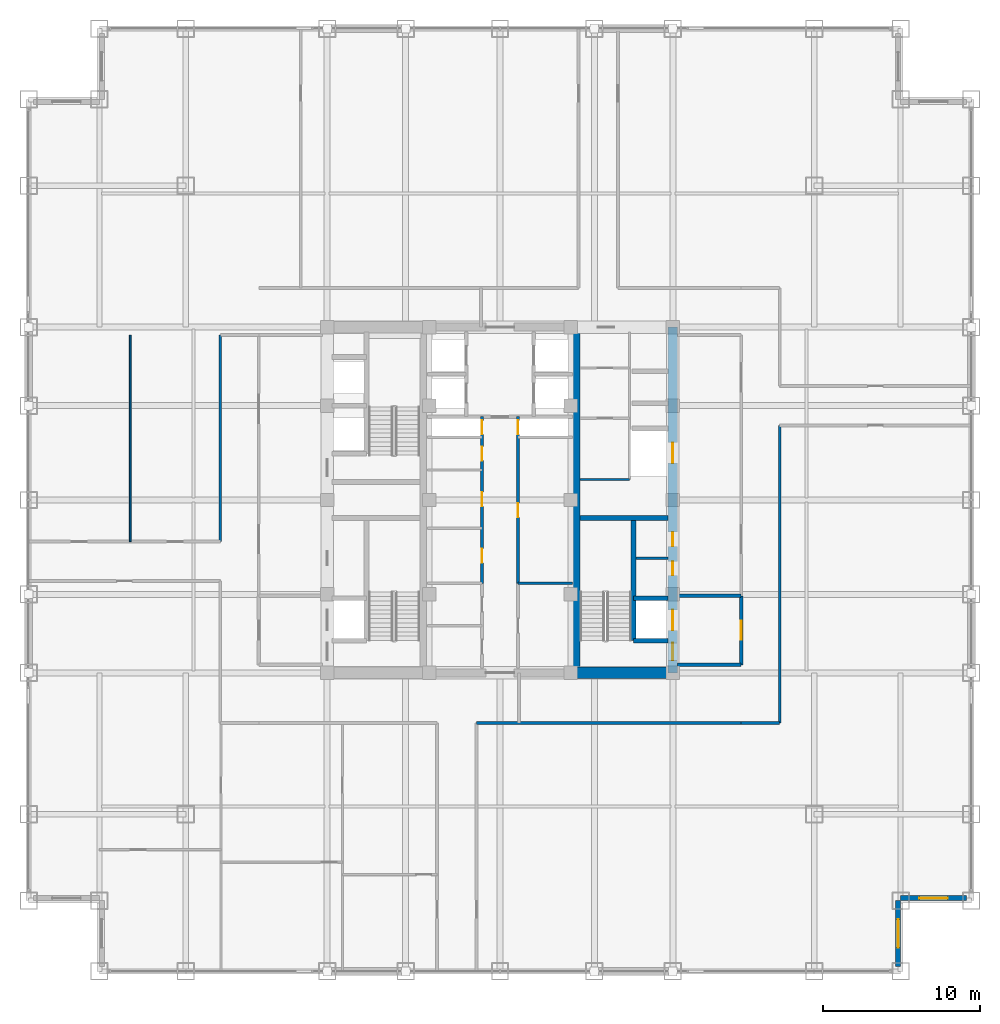
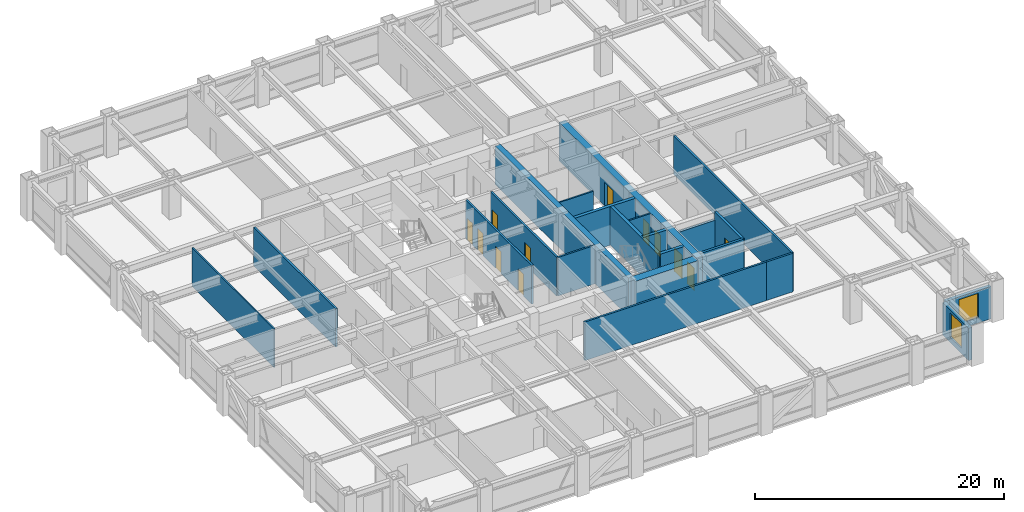
# One storey, part 21 of 24: 22 walls, 12 doors, 2 windows, 14 openings.
"""IFC4 building model written with IfcOpenShell, lengths in metres."""

from ifc_helpers import new_model, si_unit, direction, frame, frame_2d, origin, place, context, subcontext, project, spatial, rectangle, extrude, source, transform, mapped, material, layer, layer_set, type_object, element, fill, save


model = new_model("IFC4")

# Units and contexts
model_context = context("Model", 3, precision=1e-05, world=origin(), true_north=direction((0.0, 1.0)))
body_context = subcontext(model_context, "Body", "Model", "MODEL_VIEW")
ifc_project = project(units=[si_unit("LENGTHUNIT", "METRE"), si_unit("AREAUNIT", "SQUARE_METRE"), si_unit("VOLUMEUNIT", "CUBIC_METRE"), si_unit("PLANEANGLEUNIT", "RADIAN"), si_unit("MASSUNIT", "GRAM", prefix="KILO")], contexts=[model_context])

# Site, building, storey
site_placement = place(None, origin())
site = spatial("IfcSite", under=ifc_project, at=site_placement, CompositionType="ELEMENT")
building_placement = place(site_placement, origin())
building = spatial("IfcBuilding", under=site, at=building_placement, Name="Khorayat Bourse Tower", CompositionType="ELEMENT")
storey_placement = place(building_placement, frame((0.0, 0.0, 175.10009765625)))
storey = spatial("IfcBuildingStorey", under=building, at=storey_placement, Name="L40", CompositionType="ELEMENT", Elevation=175.10009765625)

# Wall, openings, doors
ifc_material_1 = material(Name="Concrete C60/75", Category="concrete")
ifc_layer_1 = layer(ifc_material_1, 0.60009765625)
ifc_layer_set_1 = layer_set([ifc_layer_1], Name="Concrete C60/75")
wall_type_1 = type_object("IfcWallType", Name="WAL-CORE-600", PredefinedType="SHEAR", material=ifc_layer_set_1)
shared_shape_1 = source(origin(), body_context, "Body", "SweptSolid", [
    extrude(rectangle(XDim=22.0, YDim=0.60009765625, at=frame_2d((11.0, 0.0))), origin(), (0.0, 0.0, 1.0), 3.77978515625),
])
wall_1_placement = place(storey_placement, frame((11.0, -11.0, 0.0), z_axis=(0.0, 0.0, 1.0), x_axis=(0.0, 1.0, 0.0)))
wall_1 = element("IfcWall", 1, at=wall_1_placement, inside=storey, type_object=wall_type_1, Name="L40 Core Shear Wall CORE-E", PredefinedType="SHEAR", context=body_context, shape_type="MappedRepresentation", body=[
    mapped(shared_shape_1, transform((0.0, 0.0, 0.0), scale=1.0)),
])
shared_shape_2 = source(origin(), body_context, "Body", "SweptSolid", [
    extrude(rectangle(XDim=1.10009765625, YDim=2.199951171875, at=frame_2d((0.550048828125, 1.10009765625))), frame((0.0, 0.31005859375, 0.0), z_axis=(0.0, -1.0, 0.0), x_axis=(1.0, 0.0, 0.0)), (0.0, 0.0, 1.0), 0.6201171875),
])
opening_1_placement = place(wall_1_placement, frame((0.800048828125, 0.0, 0.0)))
opening_1 = element("IfcOpeningElement", 2, at=opening_1_placement, cuts=wall_1, Name="Opening DI-01", PredefinedType="OPENING", context=body_context, shape_type="MappedRepresentation", body=[
    mapped(shared_shape_2, transform((0.0, 0.0, 0.0), scale=1.0)),
])
shared_shape_3 = source(origin(), body_context, "Body", "SweptSolid", [
    extrude(rectangle(XDim=0.89990234375, YDim=2.14990234375, at=frame_2d((0.449951171875, 1.074951171875))), frame((0.0, 0.31005859375, 0.0), z_axis=(0.0, -1.0, 0.0), x_axis=(1.0, 0.0, 0.0)), (0.0, 0.0, 1.0), 0.6201171875),
])
opening_2_placement = place(wall_1_placement, frame((6.199951171875, 0.0, 0.0)))
opening_2 = element("IfcOpeningElement", 3, at=opening_2_placement, cuts=wall_1, Name="Opening DI-06", PredefinedType="OPENING", context=body_context, shape_type="MappedRepresentation", body=[
    mapped(shared_shape_3, transform((0.0, 0.0, 0.0), scale=1.0)),
])
opening_3_placement = place(wall_1_placement, frame((8.050048828125, 0.0, 0.0)))
opening_3 = element("IfcOpeningElement", 4, at=opening_3_placement, cuts=wall_1, Name="Opening DI-06", PredefinedType="OPENING", context=body_context, shape_type="MappedRepresentation", body=[
    mapped(shared_shape_3, transform((0.0, 0.0, 0.0), scale=1.0)),
])
shared_shape_4 = source(origin(), body_context, "Body", "SweptSolid", [
    extrude(rectangle(XDim=1.300048828125, YDim=2.300048828125, at=frame_2d((0.64990234375, 1.14990234375))), frame((0.0, 0.31005859375, 0.0), z_axis=(0.0, -1.0, 0.0), x_axis=(1.0, 0.0, 0.0)), (0.0, 0.0, 1.0), 0.6201171875),
])
opening_4_placement = place(wall_1_placement, frame((2.699951171875, 0.0, 0.0)))
opening_4 = element("IfcOpeningElement", 5, at=opening_4_placement, cuts=wall_1, Name="Opening LD-02", PredefinedType="OPENING", context=body_context, shape_type="MappedRepresentation", body=[
    mapped(shared_shape_4, transform((0.0, 0.0, 0.0), scale=1.0)),
])
opening_5_placement = place(wall_1_placement, frame((13.35009765625, 0.0, 0.0)))
opening_5 = element("IfcOpeningElement", 6, at=opening_5_placement, cuts=wall_1, Name="Opening LD-02", PredefinedType="OPENING", context=body_context, shape_type="MappedRepresentation", body=[
    mapped(shared_shape_4, transform((0.0, 0.0, 0.0), scale=1.0)),
])
ifc_material_2 = material(Name="Fire-rated steel acoustic leaf", Category="steel")
door_type_1 = type_object("IfcDoorType", Name="DR-INT-STAIR-1100", OperationType="NOTDEFINED", PredefinedType="DOOR", material=ifc_material_2)
shared_shape_5 = source(origin(), body_context, "Body", "SweptSolid", [
    extrude(rectangle(XDim=1.10009765625, YDim=2.199951171875, at=frame_2d((0.550048828125, 1.10009765625))), frame((0.0, 0.02490234375, 0.0), z_axis=(0.0, -1.0, 0.0), x_axis=(1.0, 0.0, 0.0)), (0.0, 0.0, 1.0), 0.050048828125),
])
door_1_placement = place(opening_1_placement, origin())
door_1 = element("IfcDoor", 7, at=door_1_placement, inside=storey, type_object=door_type_1, Name="L40 Exit Stair 3 Door", OperationType="SINGLE_SWING_LEFT", OverallHeight=2.199951171875, OverallWidth=1.10009765625, PredefinedType="DOOR", context=body_context, shape_type="MappedRepresentation", body=[
    mapped(shared_shape_5, transform((0.0, 0.0, 0.0), scale=1.0)),
])
fill(opening_1, door_1)
ifc_material_3 = material(Name="Moisture-resistant laminate washroom door")
door_type_2 = type_object("IfcDoorType", Name="DR-INT-WC-900", OperationType="NOTDEFINED", PredefinedType="DOOR", material=ifc_material_3)
shared_shape_6 = source(origin(), body_context, "Body", "SweptSolid", [
    extrude(rectangle(XDim=0.89990234375, YDim=2.14990234375, at=frame_2d((0.449951171875, 1.074951171875))), frame((0.0, 0.02490234375, 0.0), z_axis=(0.0, -1.0, 0.0), x_axis=(1.0, 0.0, 0.0)), (0.0, 0.0, 1.0), 0.050048828125),
])
door_2_placement = place(opening_2_placement, origin())
door_2 = element("IfcDoor", 8, at=door_2_placement, inside=storey, type_object=door_type_2, Name="L40 Comms Closet Door", OperationType="SINGLE_SWING_LEFT", OverallHeight=2.14990234375, OverallWidth=0.89990234375, PredefinedType="DOOR", context=body_context, shape_type="MappedRepresentation", body=[
    mapped(shared_shape_6, transform((0.0, 0.0, 0.0), scale=1.0)),
])
fill(opening_2, door_2)
door_3_placement = place(opening_3_placement, origin())
door_3 = element("IfcDoor", 9, at=door_3_placement, inside=storey, type_object=door_type_2, Name="L40 Cleaner Store Door", OperationType="SINGLE_SWING_RIGHT", OverallHeight=2.14990234375, OverallWidth=0.89990234375, PredefinedType="DOOR", context=body_context, shape_type="MappedRepresentation", body=[
    mapped(shared_shape_6, transform((0.0, 0.0, 0.0), scale=1.0)),
])
fill(opening_3, door_3)
ifc_material_4 = material(Name="Fire-rated stainless-steel sliding landing door", Category="steel")
door_type_3 = type_object("IfcDoorType", Name="DR-LIFT-FF-1300", OperationType="NOTDEFINED", PredefinedType="DOOR", material=ifc_material_4)
shared_shape_7 = source(origin(), body_context, "Body", "SweptSolid", [
    extrude(rectangle(XDim=1.300048828125, YDim=2.300048828125, at=frame_2d((0.64990234375, 1.14990234375))), frame((0.0, 0.02490234375, 0.0), z_axis=(0.0, -1.0, 0.0), x_axis=(1.0, 0.0, 0.0)), (0.0, 0.0, 1.0), 0.050048828125),
])
door_4_placement = place(opening_4_placement, origin())
door_4 = element("IfcDoor", 10, at=door_4_placement, inside=storey, type_object=door_type_3, Name="L40 Lift FFL-02 Sliding Landing Door", OperationType="SLIDING_TO_LEFT", OverallHeight=2.300048828125, OverallWidth=1.300048828125, PredefinedType="DOOR", context=body_context, shape_type="MappedRepresentation", body=[
    mapped(shared_shape_7, transform((0.0, 0.0, 0.0), scale=1.0)),
])
fill(opening_4, door_4)
door_5_placement = place(opening_5_placement, origin())
door_5 = element("IfcDoor", 11, at=door_5_placement, inside=storey, type_object=door_type_3, Name="L40 Lift SVL-01 Sliding Landing Door", OperationType="SLIDING_TO_LEFT", OverallHeight=2.300048828125, OverallWidth=1.300048828125, PredefinedType="DOOR", context=body_context, shape_type="MappedRepresentation", body=[
    mapped(shared_shape_7, transform((0.0, 0.0, 0.0), scale=1.0)),
])
fill(opening_5, door_5)

# Walls
ifc_material_5 = material(Name="Concrete C52/65", Category="concrete")
ifc_layer_2 = layer(ifc_material_5, 0.5)
ifc_layer_set_2 = layer_set([ifc_layer_2], Name="Concrete C52/65")
wall_type_2 = type_object("IfcWallType", Name="WAL-CORE-500", PredefinedType="SHEAR", material=ifc_layer_set_2)
shared_shape_8 = source(origin(), body_context, "Body", "SweptSolid", [
    extrude(rectangle(XDim=21.39990234375, YDim=0.5, at=frame_2d((10.699951171875, 0.0))), origin(), (0.0, 0.0, 1.0), 3.77978515625),
])
wall_2_placement = place(storey_placement, frame((4.85009765625, -10.699951171875, 0.0), z_axis=(0.0, 0.0, 1.0), x_axis=(0.0, 1.0, 0.0)))
element("IfcWall", 12, at=wall_2_placement, inside=storey, type_object=wall_type_2, Name="L40 Core Shear Wall PIER-E", PredefinedType="SHEAR", context=body_context, shape_type="MappedRepresentation", body=[
    mapped(shared_shape_8, transform((0.0, 0.0, 0.0), scale=1.0)),
])
ifc_material_6 = material(Name="Concrete C72/90", Category="concrete")
ifc_layer_3 = layer(ifc_material_6, 0.75)
ifc_layer_set_3 = layer_set([ifc_layer_3], Name="Concrete C72/90")
wall_type_3 = type_object("IfcWallType", Name="WAL-CORE-750", PredefinedType="SHEAR", material=ifc_layer_set_3)
shared_shape_9 = source(origin(), body_context, "Body", "SweptSolid", [
    extrude(rectangle(XDim=5.849853515625, YDim=0.75, at=frame_2d((2.9248046875, 0.0))), origin(), (0.0, 0.0, 1.0), 3.77978515625),
])
wall_3_placement = place(storey_placement, frame((4.85009765625, -11.0, 0.0), z_axis=(0.0, 0.0, 1.0), x_axis=(1.0, 0.0, 0.0)))
element("IfcWall", 13, at=wall_3_placement, inside=storey, type_object=wall_type_3, Name="L40 Core Shear Wall PIER-ES", PredefinedType="SHEAR", context=body_context, shape_type="MappedRepresentation", body=[
    mapped(shared_shape_9, transform((0.0, 0.0, 0.0), scale=1.0)),
])
ifc_material_7 = material(Name="Concrete C50/60", Category="concrete")
ifc_layer_4 = layer(ifc_material_7, 0.300048828125)
ifc_layer_set_4 = layer_set([ifc_layer_4], Name="Concrete C50/60")
wall_type_4 = type_object("IfcWallType", Name="WAL-SHAFT-300", PredefinedType="SHEAR", material=ifc_layer_set_4)
shared_shape_10 = source(origin(), body_context, "Body", "SweptSolid", [
    extrude(rectangle(XDim=5.599853515625, YDim=0.300048828125, at=frame_2d((2.7998046875, 0.0))), origin(), (0.0, 0.0, 1.0), 3.77978515625),
])
wall_4_placement = place(storey_placement, frame((5.10009765625, -1.14990234375, 0.0), z_axis=(0.0, 0.0, 1.0), x_axis=(1.0, 0.0, 0.0)))
element("IfcWall", 14, at=wall_4_placement, inside=storey, type_object=wall_type_4, Name="L40 Core Shear Wall ST3-DIV", PredefinedType="SHEAR", context=body_context, shape_type="MappedRepresentation", body=[
    mapped(shared_shape_10, transform((0.0, 0.0, 0.0), scale=1.0)),
])

# Wall, opening, window
ifc_material_8 = material(Name="Precast concrete C45/55", Category="concrete")
ifc_layer_5 = layer(ifc_material_8, 0.320068359375)
ifc_layer_set_5 = layer_set([ifc_layer_5], Name="Precast concrete C45/55")
wall_type_5 = type_object("IfcWallType", Name="WAL-EXT-STONE-320", PredefinedType="STANDARD", material=ifc_layer_set_5)
shared_shape_11 = source(origin(), body_context, "Body", "SweptSolid", [
    extrude(rectangle(XDim=4.179931640625, YDim=0.320068359375, at=frame_2d((2.08984375, 0.0))), origin(), (0.0, 0.0, 1.0), 3.163818359375),
])
wall_5_placement = place(storey_placement, frame((25.340087890625, -29.679931640625, 0.0), z_axis=(0.0, 0.0, 1.0), x_axis=(0.0, 1.0, 0.0)))
wall_5 = element("IfcWall", 15, at=wall_5_placement, inside=storey, type_object=wall_type_5, Name="L40 Re-Entrant Notch Limestone Wall SE-V", PredefinedType="STANDARD", context=body_context, shape_type="MappedRepresentation", body=[
    mapped(shared_shape_11, transform((0.0, 0.0, 0.0), scale=1.0)),
])
shared_shape_12 = source(origin(), body_context, "Body", "SweptSolid", [
    extrude(rectangle(XDim=1.800048828125, YDim=2.39990234375, at=frame_2d((0.89990234375, 1.199951171875))), frame((0.0, 0.169921875, 0.0), z_axis=(0.0, -1.0, 0.0), x_axis=(1.0, 0.0, 0.0)), (0.0, 0.0, 1.0), 0.340087890625),
])
opening_6_placement = place(wall_5_placement, frame((1.18994140625, 0.0, 0.5)))
opening_6 = element("IfcOpeningElement", 16, at=opening_6_placement, cuts=wall_5, Name="Opening WN-04", PredefinedType="OPENING", context=body_context, shape_type="MappedRepresentation", body=[
    mapped(shared_shape_12, transform((0.0, 0.0, 0.0), scale=1.0)),
])
ifc_material_9 = material(Name="Low-E acoustic laminated double glazing", Category="glass")
window_type = type_object("IfcWindowType", Name="WIN-NOTCH-1800x2400", PartitioningType="SINGLE_PANEL", PredefinedType="WINDOW", material=ifc_material_9)
shared_shape_13 = source(origin(), body_context, "Body", "SweptSolid", [
    extrude(rectangle(XDim=1.800048828125, YDim=2.39990234375, at=frame_2d((0.89990234375, 1.199951171875))), frame((0.0, 0.030029296875, 0.0), z_axis=(0.0, -1.0, 0.0), x_axis=(1.0, 0.0, 0.0)), (0.0, 0.0, 1.0), 0.06005859375),
])
window_1_placement = place(opening_6_placement, origin())
window_1 = element("IfcWindow", 17, at=window_1_placement, inside=storey, type_object=window_type, Name="L40 Facade Window 1", OverallHeight=2.39990234375, OverallWidth=1.800048828125, PartitioningType="SINGLE_PANEL", PredefinedType="WINDOW", context=body_context, shape_type="MappedRepresentation", body=[
    mapped(shared_shape_13, transform((0.0, 0.0, 0.0), scale=1.0)),
])
fill(opening_6, window_1)

wall_6_placement = place(storey_placement, frame((25.5, -25.340087890625, 0.0), z_axis=(0.0, 0.0, 1.0), x_axis=(1.0, 0.0, 0.0)))
wall_6 = element("IfcWall", 18, at=wall_6_placement, inside=storey, type_object=wall_type_5, Name="L40 Re-Entrant Notch Limestone Wall SE-H", PredefinedType="STANDARD", context=body_context, shape_type="MappedRepresentation", body=[
    mapped(shared_shape_11, transform((0.0, 0.0, 0.0), scale=1.0)),
])
opening_7_placement = place(wall_6_placement, frame((1.18994140625, 0.0, 0.5)))
opening_7 = element("IfcOpeningElement", 19, at=opening_7_placement, cuts=wall_6, Name="Opening WN-04", PredefinedType="OPENING", context=body_context, shape_type="MappedRepresentation", body=[
    mapped(shared_shape_12, transform((0.0, 0.0, 0.0), scale=1.0)),
])
window_2_placement = place(opening_7_placement, origin())
window_2 = element("IfcWindow", 20, at=window_2_placement, inside=storey, type_object=window_type, Name="L40 Facade Window 1", OverallHeight=2.39990234375, OverallWidth=1.800048828125, PartitioningType="SINGLE_PANEL", PredefinedType="WINDOW", context=body_context, shape_type="MappedRepresentation", body=[
    mapped(shared_shape_13, transform((0.0, 0.0, 0.0), scale=1.0)),
])
fill(opening_7, window_2)

# Walls
shared_shape_14 = source(origin(), body_context, "Body", "SweptSolid", [
    extrude(rectangle(XDim=7.800048828125, YDim=0.300048828125, at=frame_2d((3.89990234375, 0.0))), origin(), (0.0, 0.0, 1.0), 3.77978515625),
])
wall_7_placement = place(storey_placement, frame((8.5, -8.949951171875, 0.0), z_axis=(0.0, 0.0, 1.0), x_axis=(0.0, 1.0, 0.0)))
element("IfcWall", 21, at=wall_7_placement, inside=storey, type_object=wall_type_4, Name="L40 Partition WAL-L40-EPIER-SP", PredefinedType="SHEAR", context=body_context, shape_type="MappedRepresentation", body=[
    mapped(shared_shape_14, transform((0.0, 0.0, 0.0), scale=1.0)),
])
shared_shape_15 = source(origin(), body_context, "Body", "SweptSolid", [
    extrude(rectangle(XDim=2.199951171875, YDim=0.300048828125, at=frame_2d((1.10009765625, 0.0))), origin(), (0.0, 0.0, 1.0), 3.77978515625),
])
for number, where, z_axis, x_axis, name in (
    (22, (8.5, -8.949951171875, 0.0), (0.0, 0.0, 1.0), (1.0, 0.0, 0.0), "L40 Partition WAL-L40-EPIER-FF2S"),
    (23, (8.5, -6.25, 0.0), (0.0, 0.0, 1.0), (1.0, 0.0, 0.0), "L40 Partition WAL-L40-EPIER-FF2N"),
):
    element("IfcWall", number, at=place(storey_placement, frame(where, z_axis=z_axis, x_axis=x_axis)), inside=storey, type_object=wall_type_4, Name=name, PredefinedType="SHEAR", context=body_context, shape_type="MappedRepresentation", body=[
        mapped(shared_shape_15, transform((0.0, 0.0, 0.0), scale=1.0)),
    ])
ifc_material_10 = material(Name="Gypsum plasterboard twin-frame partition")
ifc_layer_6 = layer(ifc_material_10, 0.14990234375)
ifc_layer_set_6 = layer_set([ifc_layer_6], Name="Gypsum plasterboard twin-frame partition")
wall_type_6 = type_object("IfcWallType", Name="WAL-PART-SUITE-150", PredefinedType="PARTITIONING", material=ifc_layer_set_6)
shared_shape_16 = source(origin(), body_context, "Body", "SweptSolid", [
    extrude(rectangle(XDim=2.050048828125, YDim=0.14990234375, at=frame_2d((1.02490234375, 0.0))), origin(), (0.0, 0.0, 1.0), 3.77978515625),
])
wall_8_placement = place(storey_placement, frame((8.64990234375, -3.699951171875, 0.0), z_axis=(0.0, 0.0, 1.0), x_axis=(1.0, 0.0, 0.0)))
element("IfcWall", 24, at=wall_8_placement, inside=storey, type_object=wall_type_6, Name="L40 Partition WAL-L40-ESRV-D1", PredefinedType="PARTITIONING", context=body_context, shape_type="MappedRepresentation", body=[
    mapped(shared_shape_16, transform((0.0, 0.0, 0.0), scale=1.0)),
])
ifc_material_11 = material(Name="Moisture-resistant masonry partition", Category="masonry")
ifc_layer_7 = layer(ifc_material_11, 0.139892578125)
ifc_layer_set_7 = layer_set([ifc_layer_7], Name="Moisture-resistant masonry partition")
wall_type_7 = type_object("IfcWallType", Name="WAL-PART-WET-140", PredefinedType="PARTITIONING", material=ifc_layer_set_7)
shared_shape_17 = source(origin(), body_context, "Body", "SweptSolid", [
    extrude(rectangle(XDim=3.14990234375, YDim=0.139892578125, at=frame_2d((1.574951171875, 0.0))), origin(), (0.0, 0.0, 1.0), 3.77978515625),
])
wall_9_placement = place(storey_placement, frame((5.10009765625, 1.300048828125, 0.0), z_axis=(0.0, 0.0, 1.0), x_axis=(1.0, 0.0, 0.0)))
element("IfcWall", 25, at=wall_9_placement, inside=storey, type_object=wall_type_7, Name="L40 Partition WAL-L40-ECORE-S", PredefinedType="PARTITIONING", context=body_context, shape_type="MappedRepresentation", body=[
    mapped(shared_shape_17, transform((0.0, 0.0, 0.0), scale=1.0)),
])
ifc_material_12 = material(Name="Aerated concrete blockwork", Category="masonry")
ifc_layer_8 = layer(ifc_material_12, 0.219970703125)
ifc_layer_set_8 = layer_set([ifc_layer_8], Name="Aerated concrete blockwork")
wall_type_8 = type_object("IfcWallType", Name="WAL-PART-FF-220", PredefinedType="PARTITIONING", material=ifc_layer_set_8)
shared_shape_18 = source(origin(), body_context, "Body", "SweptSolid", [
    extrude(rectangle(XDim=4.050048828125, YDim=0.219970703125, at=frame_2d((2.02490234375, 0.0))), origin(), (0.0, 0.0, 1.0), 3.77978515625),
])
wall_10_placement = place(storey_placement, frame((11.300048828125, -10.5, 0.0), z_axis=(0.0, 0.0, 1.0), x_axis=(1.0, 0.0, 0.0)))
element("IfcWall", 26, at=wall_10_placement, inside=storey, type_object=wall_type_8, Name="L40 Partition WAL-L40-FFLE-S", PredefinedType="PARTITIONING", context=body_context, shape_type="MappedRepresentation", body=[
    mapped(shared_shape_18, transform((0.0, 0.0, 0.0), scale=1.0)),
])
shared_shape_19 = source(origin(), body_context, "Body", "SweptSolid", [
    extrude(rectangle(XDim=4.050048828125, YDim=0.219970703125, at=frame_2d((2.02490234375, 0.0))), origin(), (0.0, 0.0, 1.0), 3.0068359375),
])
wall_11_placement = place(storey_placement, frame((11.300048828125, -6.10009765625, 0.0), z_axis=(0.0, 0.0, 1.0), x_axis=(1.0, 0.0, 0.0)))
element("IfcWall", 27, at=wall_11_placement, inside=storey, type_object=wall_type_8, Name="L40 Partition WAL-L40-FFLE-N", PredefinedType="PARTITIONING", context=body_context, shape_type="MappedRepresentation", body=[
    mapped(shared_shape_19, transform((0.0, 0.0, 0.0), scale=1.0)),
])

# Wall, opening, door
shared_shape_20 = source(origin(), body_context, "Body", "SweptSolid", [
    extrude(rectangle(XDim=4.39990234375, YDim=0.219970703125, at=frame_2d((2.199951171875, 0.0))), origin(), (0.0, 0.0, 1.0), 3.77978515625),
])
wall_12_placement = place(storey_placement, frame((15.35009765625, -10.5, 0.0), z_axis=(0.0, 0.0, 1.0), x_axis=(0.0, 1.0, 0.0)))
wall_12 = element("IfcWall", 28, at=wall_12_placement, inside=storey, type_object=wall_type_8, Name="L40 Partition WAL-L40-FFLE-E", PredefinedType="PARTITIONING", context=body_context, shape_type="MappedRepresentation", body=[
    mapped(shared_shape_20, transform((0.0, 0.0, 0.0), scale=1.0)),
])
shared_shape_21 = source(origin(), body_context, "Body", "SweptSolid", [
    extrude(rectangle(XDim=1.199951171875, YDim=2.199951171875, at=frame_2d((0.60009765625, 1.10009765625))), frame((0.0, 0.119873046875, 0.0), z_axis=(0.0, -1.0, 0.0), x_axis=(1.0, 0.0, 0.0)), (0.0, 0.0, 1.0), 0.239990234375),
])
opening_8_placement = place(wall_12_placement, frame((1.60009765625, 0.0, 0.0)))
opening_8 = element("IfcOpeningElement", 29, at=opening_8_placement, cuts=wall_12, Name="Opening DI-02", PredefinedType="OPENING", context=body_context, shape_type="MappedRepresentation", body=[
    mapped(shared_shape_21, transform((0.0, 0.0, 0.0), scale=1.0)),
])
ifc_material_13 = material(Name="Fire-rated steel double-seal leaf", Category="steel")
door_type_4 = type_object("IfcDoorType", Name="DR-INT-FFLOBBY-1200", OperationType="NOTDEFINED", PredefinedType="DOOR", material=ifc_material_13)
shared_shape_22 = source(origin(), body_context, "Body", "SweptSolid", [
    extrude(rectangle(XDim=1.199951171875, YDim=2.199951171875, at=frame_2d((0.60009765625, 1.10009765625))), frame((0.0, 0.02490234375, 0.0), z_axis=(0.0, -1.0, 0.0), x_axis=(1.0, 0.0, 0.0)), (0.0, 0.0, 1.0), 0.050048828125),
])
door_6_placement = place(opening_8_placement, origin())
door_6 = element("IfcDoor", 30, at=door_6_placement, inside=storey, type_object=door_type_4, Name="L40 East Firefighting Lobby Door", OperationType="SINGLE_SWING_RIGHT", OverallHeight=2.199951171875, OverallWidth=1.199951171875, PredefinedType="DOOR", context=body_context, shape_type="MappedRepresentation", body=[
    mapped(shared_shape_22, transform((0.0, 0.0, 0.0), scale=1.0)),
])
fill(opening_8, door_6)

# Wall
shared_shape_23 = source(origin(), body_context, "Body", "SweptSolid", [
    extrude(rectangle(XDim=3.4501953125, YDim=0.14990234375, at=frame_2d((1.72509765625, 0.0))), origin(), (0.0, 0.0, 1.0), 3.77978515625),
])
wall_13_placement = place(storey_placement, frame((1.14990234375, -5.300048828125, 0.0), z_axis=(0.0, 0.0, 1.0), x_axis=(1.0, 0.0, 0.0)))
element("IfcWall", 31, at=wall_13_placement, inside=storey, type_object=wall_type_6, Name="L40 Partition WAL-L40-FB1-NE", PredefinedType="PARTITIONING", context=body_context, shape_type="MappedRepresentation", body=[
    mapped(shared_shape_23, transform((0.0, 0.0, 0.0), scale=1.0)),
])

# Wall, openings, doors
ifc_material_14 = material(Name="Gypsum plasterboard acoustic stud wall")
ifc_layer_9 = layer(ifc_material_14, 0.179931640625)
ifc_layer_set_9 = layer_set([ifc_layer_9], Name="Gypsum plasterboard acoustic stud wall")
wall_type_9 = type_object("IfcWallType", Name="WAL-PART-CORR-180", PredefinedType="PARTITIONING", material=ifc_layer_set_9)
shared_shape_24 = source(origin(), body_context, "Body", "SweptSolid", [
    extrude(rectangle(XDim=10.60009765625, YDim=0.179931640625, at=frame_2d((5.300048828125, 0.0))), origin(), (0.0, 0.0, 1.0), 3.77978515625),
])
wall_14_placement = place(storey_placement, frame((-1.14990234375, -5.300048828125, 0.0), z_axis=(0.0, 0.0, 1.0), x_axis=(0.0, 1.0, 0.0)))
wall_14 = element("IfcWall", 32, at=wall_14_placement, inside=storey, type_object=wall_type_9, Name="L40 Partition WAL-L40-CMW-L", PredefinedType="PARTITIONING", context=body_context, shape_type="MappedRepresentation", body=[
    mapped(shared_shape_24, transform((0.0, 0.0, 0.0), scale=1.0)),
])
shared_shape_25 = source(origin(), body_context, "Body", "SweptSolid", [
    extrude(rectangle(XDim=0.89990234375, YDim=2.14990234375, at=frame_2d((0.449951171875, 1.074951171875))), frame((0.0, 0.099853515625, 0.0), z_axis=(0.0, -1.0, 0.0), x_axis=(1.0, 0.0, 0.0)), (0.0, 0.0, 1.0), 0.199951171875),
])
opening_9_placement = place(wall_14_placement, frame((1.300048828125, 0.0, 0.0)))
opening_9 = element("IfcOpeningElement", 33, at=opening_9_placement, cuts=wall_14, Name="Opening DI-06", PredefinedType="OPENING", context=body_context, shape_type="MappedRepresentation", body=[
    mapped(shared_shape_25, transform((0.0, 0.0, 0.0), scale=1.0)),
])
opening_10_placement = place(wall_14_placement, frame((4.89990234375, 0.0, 0.0)))
opening_10 = element("IfcOpeningElement", 34, at=opening_10_placement, cuts=wall_14, Name="Opening DI-06", PredefinedType="OPENING", context=body_context, shape_type="MappedRepresentation", body=[
    mapped(shared_shape_25, transform((0.0, 0.0, 0.0), scale=1.0)),
])
opening_11_placement = place(wall_14_placement, frame((7.800048828125, 0.0, 0.0)))
opening_11 = element("IfcOpeningElement", 35, at=opening_11_placement, cuts=wall_14, Name="Opening DI-06", PredefinedType="OPENING", context=body_context, shape_type="MappedRepresentation", body=[
    mapped(shared_shape_25, transform((0.0, 0.0, 0.0), scale=1.0)),
])
opening_12_placement = place(wall_14_placement, frame((9.47509765625, 0.0, 0.0)))
opening_12 = element("IfcOpeningElement", 36, at=opening_12_placement, cuts=wall_14, Name="Opening DI-06", PredefinedType="OPENING", context=body_context, shape_type="MappedRepresentation", body=[
    mapped(shared_shape_25, transform((0.0, 0.0, 0.0), scale=1.0)),
])
door_7_placement = place(opening_9_placement, origin())
door_7 = element("IfcDoor", 37, at=door_7_placement, inside=storey, type_object=door_type_2, Name="L40 Male Core Washroom Door", OperationType="SINGLE_SWING_RIGHT", OverallHeight=2.14990234375, OverallWidth=0.89990234375, PredefinedType="DOOR", context=body_context, shape_type="MappedRepresentation", body=[
    mapped(shared_shape_6, transform((0.0, 0.0, 0.0), scale=1.0)),
])
fill(opening_9, door_7)
door_8_placement = place(opening_10_placement, origin())
door_8 = element("IfcDoor", 38, at=door_8_placement, inside=storey, type_object=door_type_2, Name="L40 AHU Fan Plant Room Door", OperationType="SINGLE_SWING_LEFT", OverallHeight=2.14990234375, OverallWidth=0.89990234375, PredefinedType="DOOR", context=body_context, shape_type="MappedRepresentation", body=[
    mapped(shared_shape_6, transform((0.0, 0.0, 0.0), scale=1.0)),
])
fill(opening_10, door_8)
door_9_placement = place(opening_11_placement, origin())
door_9 = element("IfcDoor", 39, at=door_9_placement, inside=storey, type_object=door_type_2, Name="L40 Janitor Store Door", OperationType="SINGLE_SWING_RIGHT", OverallHeight=2.14990234375, OverallWidth=0.89990234375, PredefinedType="DOOR", context=body_context, shape_type="MappedRepresentation", body=[
    mapped(shared_shape_6, transform((0.0, 0.0, 0.0), scale=1.0)),
])
fill(opening_11, door_9)
door_10_placement = place(opening_12_placement, origin())
door_10 = element("IfcDoor", 40, at=door_10_placement, inside=storey, type_object=door_type_2, Name="L40 West Core Riser Door", OperationType="SINGLE_SWING_LEFT", OverallHeight=2.14990234375, OverallWidth=0.89990234375, PredefinedType="DOOR", context=body_context, shape_type="MappedRepresentation", body=[
    mapped(shared_shape_6, transform((0.0, 0.0, 0.0), scale=1.0)),
])
fill(opening_12, door_10)

wall_15_placement = place(storey_placement, frame((1.14990234375, -5.300048828125, 0.0), z_axis=(0.0, 0.0, 1.0), x_axis=(0.0, 1.0, 0.0)))
wall_15 = element("IfcWall", 41, at=wall_15_placement, inside=storey, type_object=wall_type_9, Name="L40 Partition WAL-L40-CME-L", PredefinedType="PARTITIONING", context=body_context, shape_type="MappedRepresentation", body=[
    mapped(shared_shape_24, transform((0.0, 0.0, 0.0), scale=1.0)),
])
opening_13_placement = place(wall_15_placement, frame((4.199951171875, 0.0, 0.0)))
opening_13 = element("IfcOpeningElement", 42, at=opening_13_placement, cuts=wall_15, Name="Opening DI-06", PredefinedType="OPENING", context=body_context, shape_type="MappedRepresentation", body=[
    mapped(shared_shape_25, transform((0.0, 0.0, 0.0), scale=1.0)),
])
opening_14_placement = place(wall_15_placement, frame((9.47509765625, 0.0, 0.0)))
opening_14 = element("IfcOpeningElement", 43, at=opening_14_placement, cuts=wall_15, Name="Opening DI-06", PredefinedType="OPENING", context=body_context, shape_type="MappedRepresentation", body=[
    mapped(shared_shape_25, transform((0.0, 0.0, 0.0), scale=1.0)),
])
door_11_placement = place(opening_13_placement, origin())
door_11 = element("IfcDoor", 44, at=door_11_placement, inside=storey, type_object=door_type_2, Name="L40 Female Core Washroom Door", OperationType="SINGLE_SWING_RIGHT", OverallHeight=2.14990234375, OverallWidth=0.89990234375, PredefinedType="DOOR", context=body_context, shape_type="MappedRepresentation", body=[
    mapped(shared_shape_6, transform((0.0, 0.0, 0.0), scale=1.0)),
])
fill(opening_13, door_11)
door_12_placement = place(opening_14_placement, origin())
door_12 = element("IfcDoor", 45, at=door_12_placement, inside=storey, type_object=door_type_2, Name="L40 East Core Riser Door", OperationType="SINGLE_SWING_RIGHT", OverallHeight=2.14990234375, OverallWidth=0.89990234375, PredefinedType="DOOR", context=body_context, shape_type="MappedRepresentation", body=[
    mapped(shared_shape_6, transform((0.0, 0.0, 0.0), scale=1.0)),
])
fill(opening_14, door_12)

# Walls
shared_shape_26 = source(origin(), body_context, "Body", "SweptSolid", [
    extrude(rectangle(XDim=2.449951171875, YDim=0.179931640625, at=frame_2d((1.22509765625, 0.0))), origin(), (0.0, 0.0, 1.0), 3.77978515625),
])
wall_16_placement = place(storey_placement, frame((15.35009765625, -14.199951171875, 0.0), z_axis=(0.0, 0.0, 1.0), x_axis=(1.0, 0.0, 0.0)))
element("IfcWall", 46, at=wall_16_placement, inside=storey, type_object=wall_type_9, Name="L40 Partition WAL-L40-C2-ES", PredefinedType="PARTITIONING", context=body_context, shape_type="MappedRepresentation", body=[
    mapped(shared_shape_26, transform((0.0, 0.0, 0.0), scale=1.0)),
])
shared_shape_27 = source(origin(), body_context, "Body", "SweptSolid", [
    extrude(rectangle(XDim=16.85009765625, YDim=0.179931640625, at=frame_2d((8.425048828125, 0.0))), origin(), (0.0, 0.0, 1.0), 3.77978515625),
])
wall_17_placement = place(storey_placement, frame((-1.5, -14.199951171875, 0.0), z_axis=(0.0, 0.0, 1.0), x_axis=(1.0, 0.0, 0.0)))
element("IfcWall", 47, at=wall_17_placement, inside=storey, type_object=wall_type_9, Name="L40 Partition WAL-L40-QSE-HC", PredefinedType="PARTITIONING", context=body_context, shape_type="MappedRepresentation", body=[
    mapped(shared_shape_27, transform((0.0, 0.0, 0.0), scale=1.0)),
])
ifc_material_15 = material(Name="Gypsum plasterboard partition")
ifc_layer_10 = layer(ifc_material_15, 0.125)
ifc_layer_set_10 = layer_set([ifc_layer_10], Name="Gypsum plasterboard partition")
wall_type_10 = type_object("IfcWallType", Name="WAL-PART-ROOM-125", PredefinedType="PARTITIONING", material=ifc_layer_set_10)
shared_shape_28 = source(origin(), body_context, "Body", "SweptSolid", [
    extrude(rectangle(XDim=13.14990234375, YDim=0.125, at=frame_2d((6.574951171875, 0.0))), origin(), (0.0, 0.0, 1.0), 3.77978515625),
])
wall_18_placement = place(storey_placement, frame((-23.533935546875, -2.64990234375, 0.0), z_axis=(0.0, 0.0, 1.0), x_axis=(0.0, 1.0, 0.0)))
element("IfcWall", 48, at=wall_18_placement, inside=storey, type_object=wall_type_10, Name="L40 Partition WAL-L40-WN-DV", PredefinedType="PARTITIONING", context=body_context, shape_type="MappedRepresentation", body=[
    mapped(shared_shape_28, transform((0.0, 0.0, 0.0), scale=1.0)),
])
shared_shape_29 = source(origin(), body_context, "Body", "SweptSolid", [
    extrude(rectangle(XDim=13.14990234375, YDim=0.179931640625, at=frame_2d((6.574951171875, 0.0))), origin(), (0.0, 0.0, 1.0), 3.77978515625),
])
wall_19_placement = place(storey_placement, frame((-17.800048828125, -2.64990234375, 0.0), z_axis=(0.0, 0.0, 1.0), x_axis=(0.0, 1.0, 0.0)))
element("IfcWall", 49, at=wall_19_placement, inside=storey, type_object=wall_type_9, Name="L40 Partition WAL-L40-WN-IN", PredefinedType="PARTITIONING", context=body_context, shape_type="MappedRepresentation", body=[
    mapped(shared_shape_29, transform((0.0, 0.0, 0.0), scale=1.0)),
])
shared_shape_30 = source(origin(), body_context, "Body", "SweptSolid", [
    extrude(rectangle(XDim=18.949951171875, YDim=0.179931640625, at=frame_2d((9.47509765625, 0.0))), origin(), (0.0, 0.0, 1.0), 3.77978515625),
])
wall_20_placement = place(storey_placement, frame((17.800048828125, -14.199951171875, 0.0), z_axis=(0.0, 0.0, 1.0), x_axis=(0.0, 1.0, 0.0)))
element("IfcWall", 50, at=wall_20_placement, inside=storey, type_object=wall_type_9, Name="L40 Partition WAL-L40-ES-IN", PredefinedType="PARTITIONING", context=body_context, shape_type="MappedRepresentation", body=[
    mapped(shared_shape_30, transform((0.0, 0.0, 0.0), scale=1.0)),
])

save(model, "model.ifc")
